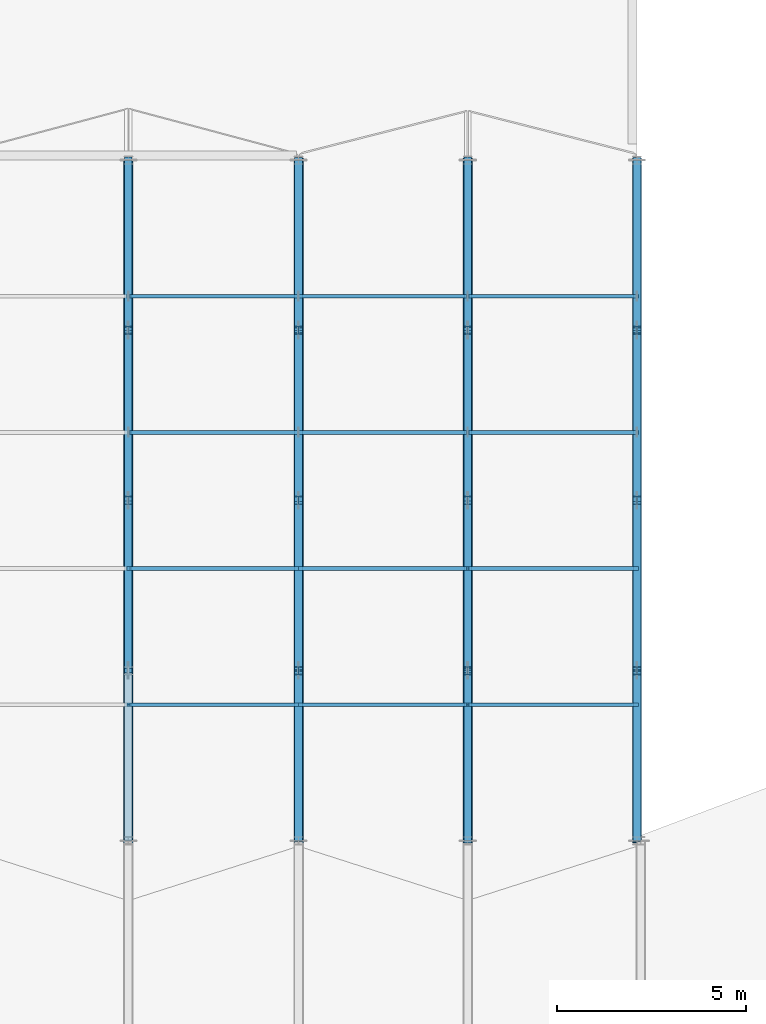
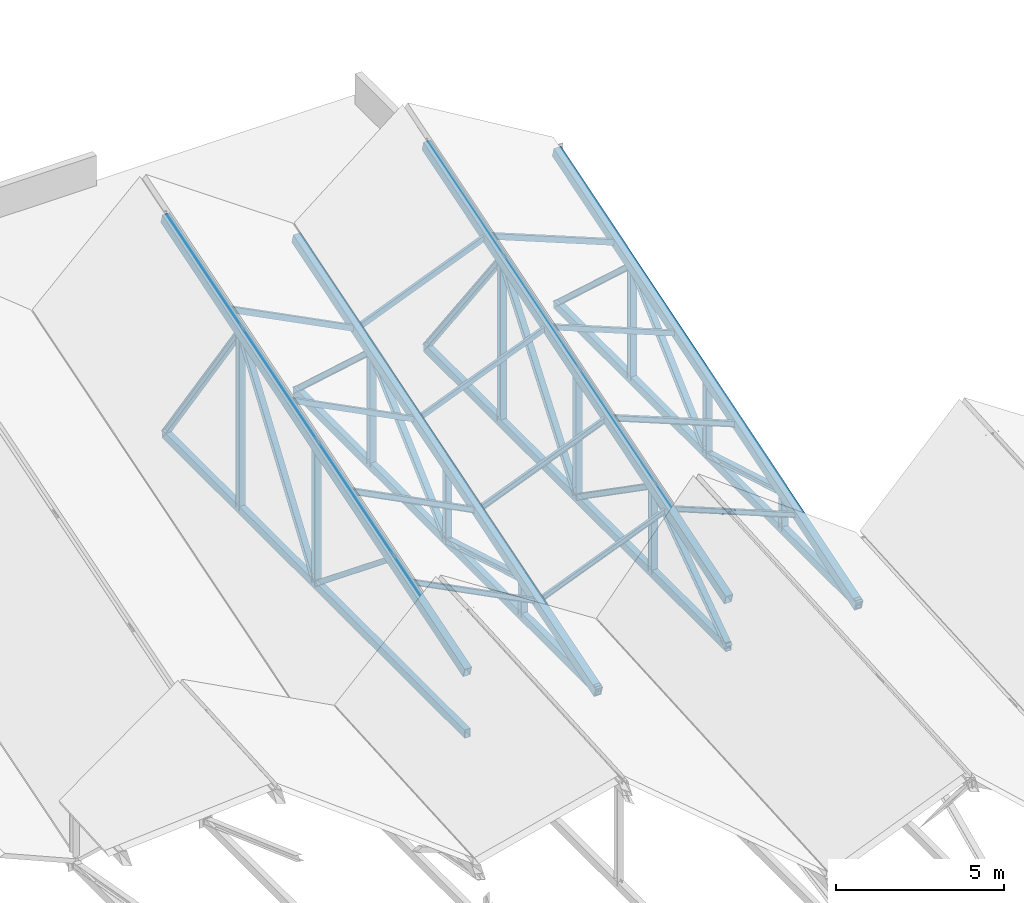
# One storey, part 67 of 142: 46 members.
"""IFC4 building model written with IfcOpenShell, lengths in metres."""

from ifc_helpers import new_model, si_unit, direction, frame, origin, origin_2d, place, context, subcontext, project, spatial, hollow_rectangle, i_section, extrude, material, material_profile, profile_set, type_object, element, save


model = new_model("IFC4")

# Units and contexts
model_context = context("Model", 3, precision=1e-05, world=origin(), true_north=direction((0.0, 1.0)))
body_context = subcontext(model_context, "Body", "Model", "MODEL_VIEW")
ifc_project = project(units=[si_unit("LENGTHUNIT", "METRE"), si_unit("AREAUNIT", "SQUARE_METRE"), si_unit("VOLUMEUNIT", "CUBIC_METRE"), si_unit("PLANEANGLEUNIT", "RADIAN"), si_unit("MASSUNIT", "GRAM", prefix="KILO")], contexts=[model_context])

# Site, building, storey
site_placement = place(None, origin())
site = spatial("IfcSite", under=ifc_project, at=site_placement, CompositionType="ELEMENT")
building_placement = place(site_placement, origin())
building = spatial("IfcBuilding", under=site, at=building_placement, Name="Montelvaro Courts of Justice", CompositionType="ELEMENT")
storey_placement = place(building_placement, frame((0.0, 0.0, 14.39990234375)))
storey = spatial("IfcBuildingStorey", under=building, at=storey_placement, Name="L03", CompositionType="ELEMENT", Elevation=14.39990234375)

# Members
ifc_material = material(Name="Steel S355", Category="steel")
ifc_material_profile_1 = material_profile(ifc_material, i_section(OverallWidth=0.199951171875, OverallDepth=0.18994140625, WebThickness=0.006591796875, FlangeThickness=0.010009765625, at=origin_2d()), Name="HEA 200")
ifc_profile_set_1 = profile_set([ifc_material_profile_1], Name="Steel S355")
member_type_1 = type_object("IfcMemberType", Name="Mem_HEA200_Brace", PredefinedType="BRACE", material=ifc_profile_set_1)
for number, where, z_axis, x_axis, name in (
    (1, (72.0, 78.0, -0.2998046875), (0.0, 0.959000997748, 0.283402692857), (-1.0, 0.0, 0.0), "Roof Truss Web MB-02 ROOF-V1-VTR07-W1"),
    (2, (72.0, 82.5, 1.030029296875), (0.0, 0.959000997748, -0.283402692857), (-1.0, 0.0, 0.0), "Roof Truss Web MB-02 ROOF-V1-VTR07-W2"),
):
    element("IfcMember", number, at=place(storey_placement, frame(where, z_axis=z_axis, x_axis=x_axis)), inside=storey, type_object=member_type_1, Name=name, PredefinedType="BRACE", context=body_context, shape_type="SweptSolid", body=[
        extrude(i_section(OverallWidth=0.199951171875, OverallDepth=0.18994140625, WebThickness=0.006591796875, FlangeThickness=0.010009765625, at=origin_2d()), origin(), (0.0, 0.0, 1.0), 4.6923828125),
    ])
for number, where, z_axis, x_axis, name in (
    (3, (72.0, 87.0, -0.2998046875), (0.0, 0.736755804956, 0.676158919089), (-1.0, 0.0, 0.0), "Roof Truss Web MB-02 ROOF-V1-VTR07-W3"),
    (4, (72.0, 91.5, 3.830078125), (0.0, 0.736755804956, -0.676158919089), (-1.0, 0.0, 0.0), "Roof Truss Web MB-02 ROOF-V1-VTR07-W4"),
):
    element("IfcMember", number, at=place(storey_placement, frame(where, z_axis=z_axis, x_axis=x_axis)), inside=storey, type_object=member_type_1, Name=name, PredefinedType="BRACE", context=body_context, shape_type="SweptSolid", body=[
        extrude(i_section(OverallWidth=0.199951171875, OverallDepth=0.18994140625, WebThickness=0.006591796875, FlangeThickness=0.010009765625, at=origin_2d()), origin(), (0.0, 0.0, 1.0), 6.10791015625),
    ])
for number, where, z_axis, x_axis, name in (
    (5, (80.949951171875, 78.0, -0.2998046875), (0.0, 0.959000997748, 0.283402692857), (-1.0, 0.0, 0.0), "Roof Truss Web MB-02 ROOF-V1-VTR08-W1"),
    (6, (80.949951171875, 82.5, 1.030029296875), (0.0, 0.959000997748, -0.283402692857), (-1.0, 0.0, 0.0), "Roof Truss Web MB-02 ROOF-V1-VTR08-W2"),
):
    element("IfcMember", number, at=place(storey_placement, frame(where, z_axis=z_axis, x_axis=x_axis)), inside=storey, type_object=member_type_1, Name=name, PredefinedType="BRACE", context=body_context, shape_type="SweptSolid", body=[
        extrude(i_section(OverallWidth=0.199951171875, OverallDepth=0.18994140625, WebThickness=0.006591796875, FlangeThickness=0.010009765625, at=origin_2d()), origin(), (0.0, 0.0, 1.0), 4.6923828125),
    ])
for number, where, z_axis, x_axis, name in (
    (7, (80.949951171875, 87.0, -0.2998046875), (0.0, 0.736755804956, 0.676158919089), (-1.0, 0.0, 0.0), "Roof Truss Web MB-02 ROOF-V1-VTR08-W3"),
    (8, (80.949951171875, 91.5, 3.830078125), (0.0, 0.736755804956, -0.676158919089), (-1.0, 0.0, 0.0), "Roof Truss Web MB-02 ROOF-V1-VTR08-W4"),
):
    element("IfcMember", number, at=place(storey_placement, frame(where, z_axis=z_axis, x_axis=x_axis)), inside=storey, type_object=member_type_1, Name=name, PredefinedType="BRACE", context=body_context, shape_type="SweptSolid", body=[
        extrude(i_section(OverallWidth=0.199951171875, OverallDepth=0.18994140625, WebThickness=0.006591796875, FlangeThickness=0.010009765625, at=origin_2d()), origin(), (0.0, 0.0, 1.0), 6.10791015625),
    ])
member_1_placement = place(storey_placement, frame((67.5, 82.5, 3.330078125), z_axis=(0.0, 0.778341146089, -0.627841588544), x_axis=(-1.0, 0.0, 0.0)))
element("IfcMember", 9, at=member_1_placement, inside=storey, type_object=member_type_1, Name="Roof Truss Web MB-02 ROOF-V1-RTR06-W2", PredefinedType="BRACE", context=body_context, shape_type="SweptSolid", body=[
    extrude(i_section(OverallWidth=0.199951171875, OverallDepth=0.18994140625, WebThickness=0.006591796875, FlangeThickness=0.010009765625, at=origin_2d()), origin(), (0.0, 0.0, 1.0), 5.781494140625),
])
for number, where, z_axis, x_axis, name in (
    (10, (67.5, 87.0, -0.2998046875), (0.0, 0.573380918154, 0.819288912837), (-1.0, 0.0, 0.0), "Roof Truss Web MB-02 ROOF-V1-RTR06-W3"),
    (11, (67.5, 91.5, 6.130126953125), (0.0, 0.573380918154, -0.819288912837), (-1.0, 0.0, 0.0), "Roof Truss Web MB-02 ROOF-V1-RTR06-W4"),
):
    element("IfcMember", number, at=place(storey_placement, frame(where, z_axis=z_axis, x_axis=x_axis)), inside=storey, type_object=member_type_1, Name=name, PredefinedType="BRACE", context=body_context, shape_type="SweptSolid", body=[
        extrude(i_section(OverallWidth=0.199951171875, OverallDepth=0.18994140625, WebThickness=0.006591796875, FlangeThickness=0.010009765625, at=origin_2d()), origin(), (0.0, 0.0, 1.0), 7.84814453125),
    ])
for number, where, z_axis, x_axis, name in (
    (12, (76.47509765625, 78.0, -0.2998046875), (0.0, 0.820952405197, 0.570996627312), (-1.0, 0.0, 0.0), "Roof Truss Web MB-02 ROOF-V1-RTR07-W1"),
    (13, (76.47509765625, 82.5, 2.830078125), (0.0, 0.820952405197, -0.570996627312), (-1.0, 0.0, 0.0), "Roof Truss Web MB-02 ROOF-V1-RTR07-W2"),
):
    element("IfcMember", number, at=place(storey_placement, frame(where, z_axis=z_axis, x_axis=x_axis)), inside=storey, type_object=member_type_1, Name=name, PredefinedType="BRACE", context=body_context, shape_type="SweptSolid", body=[
        extrude(i_section(OverallWidth=0.199951171875, OverallDepth=0.18994140625, WebThickness=0.006591796875, FlangeThickness=0.010009765625, at=origin_2d()), origin(), (0.0, 0.0, 1.0), 5.4814453125),
    ])
for number, where, z_axis, x_axis, name in (
    (14, (76.47509765625, 87.0, -0.2998046875), (0.0, 0.604508502706, 0.796598688272), (-1.0, 0.0, 0.0), "Roof Truss Web MB-02 ROOF-V1-RTR07-W3"),
    (15, (76.47509765625, 91.5, 5.630126953125), (0.0, 0.604508502706, -0.796598688272), (-1.0, 0.0, 0.0), "Roof Truss Web MB-02 ROOF-V1-RTR07-W4"),
):
    element("IfcMember", number, at=place(storey_placement, frame(where, z_axis=z_axis, x_axis=x_axis)), inside=storey, type_object=member_type_1, Name=name, PredefinedType="BRACE", context=body_context, shape_type="SweptSolid", body=[
        extrude(i_section(OverallWidth=0.199951171875, OverallDepth=0.18994140625, WebThickness=0.006591796875, FlangeThickness=0.010009765625, at=origin_2d()), origin(), (0.0, 0.0, 1.0), 7.444091796875),
    ])
ifc_material_profile_2 = material_profile(ifc_material, i_section(OverallWidth=0.219970703125, OverallDepth=0.2099609375, WebThickness=0.007080078125, FlangeThickness=0.010986328125, at=origin_2d()), Name="HEA 220")
ifc_profile_set_2 = profile_set([ifc_material_profile_2], Name="Steel S355")
member_type_2 = type_object("IfcMemberType", Name="Mem_HEA220_Post", PredefinedType="POST", material=ifc_profile_set_2)
member_2_placement = place(storey_placement, frame((72.0, 82.5, -0.2998046875), z_axis=(0.0, 0.0, 1.0), x_axis=(1.0, 0.0, 0.0)))
element("IfcMember", 16, at=member_2_placement, inside=storey, type_object=member_type_2, Name="Roof Truss Post MP-03 ROOF-V1-VTR07-V1", PredefinedType="POST", context=body_context, shape_type="SweptSolid", body=[
    extrude(i_section(OverallWidth=0.219970703125, OverallDepth=0.2099609375, WebThickness=0.007080078125, FlangeThickness=0.010986328125, at=origin_2d()), origin(), (0.0, 0.0, 1.0), 1.329833984375),
])
member_3_placement = place(storey_placement, frame((72.0, 87.0, -0.2998046875), z_axis=(0.0, 0.0, 1.0), x_axis=(1.0, 0.0, 0.0)))
element("IfcMember", 17, at=member_3_placement, inside=storey, type_object=member_type_2, Name="Roof Truss Post MP-03 ROOF-V1-VTR07-V2", PredefinedType="POST", context=body_context, shape_type="SweptSolid", body=[
    extrude(i_section(OverallWidth=0.219970703125, OverallDepth=0.2099609375, WebThickness=0.007080078125, FlangeThickness=0.010986328125, at=origin_2d()), origin(), (0.0, 0.0, 1.0), 2.72998046875),
])
member_4_placement = place(storey_placement, frame((72.0, 91.5, -0.2998046875), z_axis=(0.0, 0.0, 1.0), x_axis=(1.0, 0.0, 0.0)))
element("IfcMember", 18, at=member_4_placement, inside=storey, type_object=member_type_2, Name="Roof Truss Post MP-03 ROOF-V1-VTR07-V3", PredefinedType="POST", context=body_context, shape_type="SweptSolid", body=[
    extrude(i_section(OverallWidth=0.219970703125, OverallDepth=0.2099609375, WebThickness=0.007080078125, FlangeThickness=0.010986328125, at=origin_2d()), origin(), (0.0, 0.0, 1.0), 4.1298828125),
])
member_5_placement = place(storey_placement, frame((80.949951171875, 82.5, -0.2998046875), z_axis=(0.0, 0.0, 1.0), x_axis=(1.0, 0.0, 0.0)))
element("IfcMember", 19, at=member_5_placement, inside=storey, type_object=member_type_2, Name="Roof Truss Post MP-03 ROOF-V1-VTR08-V1", PredefinedType="POST", context=body_context, shape_type="SweptSolid", body=[
    extrude(i_section(OverallWidth=0.219970703125, OverallDepth=0.2099609375, WebThickness=0.007080078125, FlangeThickness=0.010986328125, at=origin_2d()), origin(), (0.0, 0.0, 1.0), 1.329833984375),
])
member_6_placement = place(storey_placement, frame((80.949951171875, 87.0, -0.2998046875), z_axis=(0.0, 0.0, 1.0), x_axis=(1.0, 0.0, 0.0)))
element("IfcMember", 20, at=member_6_placement, inside=storey, type_object=member_type_2, Name="Roof Truss Post MP-03 ROOF-V1-VTR08-V2", PredefinedType="POST", context=body_context, shape_type="SweptSolid", body=[
    extrude(i_section(OverallWidth=0.219970703125, OverallDepth=0.2099609375, WebThickness=0.007080078125, FlangeThickness=0.010986328125, at=origin_2d()), origin(), (0.0, 0.0, 1.0), 2.72998046875),
])
member_7_placement = place(storey_placement, frame((80.949951171875, 91.5, -0.2998046875), z_axis=(0.0, 0.0, 1.0), x_axis=(1.0, 0.0, 0.0)))
element("IfcMember", 21, at=member_7_placement, inside=storey, type_object=member_type_2, Name="Roof Truss Post MP-03 ROOF-V1-VTR08-V3", PredefinedType="POST", context=body_context, shape_type="SweptSolid", body=[
    extrude(i_section(OverallWidth=0.219970703125, OverallDepth=0.2099609375, WebThickness=0.007080078125, FlangeThickness=0.010986328125, at=origin_2d()), origin(), (0.0, 0.0, 1.0), 4.1298828125),
])
member_8_placement = place(storey_placement, frame((67.5, 87.0, -0.2998046875), z_axis=(0.0, 0.0, 1.0), x_axis=(1.0, 0.0, 0.0)))
element("IfcMember", 22, at=member_8_placement, inside=storey, type_object=member_type_2, Name="Roof Truss Post MP-03 ROOF-V1-RTR06-V2", PredefinedType="POST", context=body_context, shape_type="SweptSolid", body=[
    extrude(i_section(OverallWidth=0.219970703125, OverallDepth=0.2099609375, WebThickness=0.007080078125, FlangeThickness=0.010986328125, at=origin_2d()), origin(), (0.0, 0.0, 1.0), 5.02978515625),
])
member_9_placement = place(storey_placement, frame((67.5, 91.5, -0.2998046875), z_axis=(0.0, 0.0, 1.0), x_axis=(1.0, 0.0, 0.0)))
element("IfcMember", 23, at=member_9_placement, inside=storey, type_object=member_type_2, Name="Roof Truss Post MP-03 ROOF-V1-RTR06-V3", PredefinedType="POST", context=body_context, shape_type="SweptSolid", body=[
    extrude(i_section(OverallWidth=0.219970703125, OverallDepth=0.2099609375, WebThickness=0.007080078125, FlangeThickness=0.010986328125, at=origin_2d()), origin(), (0.0, 0.0, 1.0), 6.429931640625),
])
member_10_placement = place(storey_placement, frame((76.47509765625, 82.5, -0.2998046875), z_axis=(0.0, 0.0, 1.0), x_axis=(1.0, 0.0, 0.0)))
element("IfcMember", 24, at=member_10_placement, inside=storey, type_object=member_type_2, Name="Roof Truss Post MP-03 ROOF-V1-RTR07-V1", PredefinedType="POST", context=body_context, shape_type="SweptSolid", body=[
    extrude(i_section(OverallWidth=0.219970703125, OverallDepth=0.2099609375, WebThickness=0.007080078125, FlangeThickness=0.010986328125, at=origin_2d()), origin(), (0.0, 0.0, 1.0), 3.1298828125),
])
member_11_placement = place(storey_placement, frame((76.47509765625, 87.0, -0.2998046875), z_axis=(0.0, 0.0, 1.0), x_axis=(1.0, 0.0, 0.0)))
element("IfcMember", 25, at=member_11_placement, inside=storey, type_object=member_type_2, Name="Roof Truss Post MP-03 ROOF-V1-RTR07-V2", PredefinedType="POST", context=body_context, shape_type="SweptSolid", body=[
    extrude(i_section(OverallWidth=0.219970703125, OverallDepth=0.2099609375, WebThickness=0.007080078125, FlangeThickness=0.010986328125, at=origin_2d()), origin(), (0.0, 0.0, 1.0), 4.52978515625),
])
member_12_placement = place(storey_placement, frame((76.47509765625, 91.5, -0.2998046875), z_axis=(0.0, 0.0, 1.0), x_axis=(1.0, 0.0, 0.0)))
element("IfcMember", 26, at=member_12_placement, inside=storey, type_object=member_type_2, Name="Roof Truss Post MP-03 ROOF-V1-RTR07-V3", PredefinedType="POST", context=body_context, shape_type="SweptSolid", body=[
    extrude(i_section(OverallWidth=0.219970703125, OverallDepth=0.2099609375, WebThickness=0.007080078125, FlangeThickness=0.010986328125, at=origin_2d()), origin(), (0.0, 0.0, 1.0), 5.929931640625),
])
ifc_material_profile_3 = material_profile(ifc_material, i_section(OverallWidth=0.091064453125, OverallDepth=0.179931640625, WebThickness=0.00537109375, FlangeThickness=0.008056640625, at=origin_2d()), Name="IPE 180")
ifc_profile_set_3 = profile_set([ifc_material_profile_3], Name="Steel S355")
member_type_3 = type_object("IfcMemberType", Name="Mem_IPE180_Purlin", PredefinedType="PURLIN", material=ifc_profile_set_3)
member_13_placement = place(storey_placement, frame((67.5, 81.60009765625, 3.050048828125), z_axis=(0.890430766754, 0.0, -0.455118720355), x_axis=(0.0, 1.0, 0.0)))
element("IfcMember", 27, at=member_13_placement, inside=storey, type_object=member_type_3, Name="Roof Purlin MR-01 ROOF-V1-PRL-06-1R", PredefinedType="PURLIN", context=body_context, shape_type="SweptSolid", body=[
    extrude(i_section(OverallWidth=0.091064453125, OverallDepth=0.179931640625, WebThickness=0.00537109375, FlangeThickness=0.008056640625, at=origin_2d()), origin(), (0.0, 0.0, 1.0), 5.0537109375),
])
member_14_placement = place(storey_placement, frame((72.0, 81.60009765625, 0.75), z_axis=(0.927759386524, 0.0, 0.373178939271), x_axis=(0.0, 1.0, 0.0)))
element("IfcMember", 28, at=member_14_placement, inside=storey, type_object=member_type_3, Name="Roof Purlin MR-01 ROOF-V1-PRL-07-1L", PredefinedType="PURLIN", context=body_context, shape_type="SweptSolid", body=[
    extrude(i_section(OverallWidth=0.091064453125, OverallDepth=0.179931640625, WebThickness=0.00537109375, FlangeThickness=0.008056640625, at=origin_2d()), origin(), (0.0, 0.0, 1.0), 4.823486328125),
])
member_15_placement = place(storey_placement, frame((76.47509765625, 81.60009765625, 2.550048828125), z_axis=(0.927752337359, 0.0, -0.37319646371), x_axis=(0.0, 1.0, 0.0)))
element("IfcMember", 29, at=member_15_placement, inside=storey, type_object=member_type_3, Name="Roof Purlin MR-01 ROOF-V1-PRL-07-1R", PredefinedType="PURLIN", context=body_context, shape_type="SweptSolid", body=[
    extrude(i_section(OverallWidth=0.091064453125, OverallDepth=0.179931640625, WebThickness=0.00537109375, FlangeThickness=0.008056640625, at=origin_2d()), origin(), (0.0, 0.0, 1.0), 4.8232421875),
])
ifc_material_profile_4 = material_profile(ifc_material, i_section(OverallWidth=0.10009765625, OverallDepth=0.199951171875, WebThickness=0.005615234375, FlangeThickness=0.008544921875, at=origin_2d()), Name="IPE 200")
ifc_profile_set_4 = profile_set([ifc_material_profile_4], Name="Steel S355")
member_type_4 = type_object("IfcMemberType", Name="Mem_IPE200_Purlin", PredefinedType="PURLIN", material=ifc_profile_set_4)
member_16_placement = place(storey_placement, frame((67.5, 85.199951171875, 4.170166015625), z_axis=(0.890430766754, 0.0, -0.455118720355), x_axis=(0.0, 1.0, 0.0)))
element("IfcMember", 30, at=member_16_placement, inside=storey, type_object=member_type_4, Name="Roof Purlin MR-02 ROOF-V1-PRL-06-2R", PredefinedType="PURLIN", context=body_context, shape_type="SweptSolid", body=[
    extrude(i_section(OverallWidth=0.10009765625, OverallDepth=0.199951171875, WebThickness=0.005615234375, FlangeThickness=0.008544921875, at=origin_2d()), origin(), (0.0, 0.0, 1.0), 5.0537109375),
])
member_17_placement = place(storey_placement, frame((72.0, 85.199951171875, 1.8701171875), z_axis=(0.927759386524, 0.0, 0.373178939271), x_axis=(0.0, 1.0, 0.0)))
element("IfcMember", 31, at=member_17_placement, inside=storey, type_object=member_type_4, Name="Roof Purlin MR-02 ROOF-V1-PRL-07-2L", PredefinedType="PURLIN", context=body_context, shape_type="SweptSolid", body=[
    extrude(i_section(OverallWidth=0.10009765625, OverallDepth=0.199951171875, WebThickness=0.005615234375, FlangeThickness=0.008544921875, at=origin_2d()), origin(), (0.0, 0.0, 1.0), 4.823486328125),
])
member_18_placement = place(storey_placement, frame((76.47509765625, 85.199951171875, 3.670166015625), z_axis=(0.927752337359, 0.0, -0.37319646371), x_axis=(0.0, 1.0, 0.0)))
element("IfcMember", 32, at=member_18_placement, inside=storey, type_object=member_type_4, Name="Roof Purlin MR-02 ROOF-V1-PRL-07-2R", PredefinedType="PURLIN", context=body_context, shape_type="SweptSolid", body=[
    extrude(i_section(OverallWidth=0.10009765625, OverallDepth=0.199951171875, WebThickness=0.005615234375, FlangeThickness=0.008544921875, at=origin_2d()), origin(), (0.0, 0.0, 1.0), 4.8232421875),
])
ifc_material_profile_5 = material_profile(ifc_material, hollow_rectangle(XDim=0.10009765625, YDim=0.179931640625, WallThickness=0.008056640625, at=origin_2d()), Name="RHS 180x100x8")
ifc_profile_set_5 = profile_set([ifc_material_profile_5], Name="Steel S355")
member_type_5 = type_object("IfcMemberType", Name="Mem_RHS180_Purlin", PredefinedType="PURLIN", material=ifc_profile_set_5)
member_19_placement = place(storey_placement, frame((67.5, 88.800048828125, 5.2900390625), z_axis=(0.890430766754, 0.0, -0.455118720355), x_axis=(0.0, 1.0, 0.0)))
element("IfcMember", 33, at=member_19_placement, inside=storey, type_object=member_type_5, Name="Roof Purlin MR-03 ROOF-V1-PRL-06-3R", PredefinedType="PURLIN", context=body_context, shape_type="SweptSolid", body=[
    extrude(hollow_rectangle(XDim=0.10009765625, YDim=0.179931640625, WallThickness=0.008056640625, at=origin_2d()), origin(), (0.0, 0.0, 1.0), 5.0537109375),
])
member_20_placement = place(storey_placement, frame((72.0, 88.800048828125, 2.989990234375), z_axis=(0.927759386524, 0.0, 0.373178939271), x_axis=(0.0, 1.0, 0.0)))
element("IfcMember", 34, at=member_20_placement, inside=storey, type_object=member_type_5, Name="Roof Purlin MR-03 ROOF-V1-PRL-07-3L", PredefinedType="PURLIN", context=body_context, shape_type="SweptSolid", body=[
    extrude(hollow_rectangle(XDim=0.10009765625, YDim=0.179931640625, WallThickness=0.008056640625, at=origin_2d()), origin(), (0.0, 0.0, 1.0), 4.823486328125),
])
member_21_placement = place(storey_placement, frame((76.47509765625, 88.800048828125, 4.7900390625), z_axis=(0.927752337359, 0.0, -0.37319646371), x_axis=(0.0, 1.0, 0.0)))
element("IfcMember", 35, at=member_21_placement, inside=storey, type_object=member_type_5, Name="Roof Purlin MR-03 ROOF-V1-PRL-07-3R", PredefinedType="PURLIN", context=body_context, shape_type="SweptSolid", body=[
    extrude(hollow_rectangle(XDim=0.10009765625, YDim=0.179931640625, WallThickness=0.008056640625, at=origin_2d()), origin(), (0.0, 0.0, 1.0), 4.8232421875),
])
ifc_material_profile_6 = material_profile(ifc_material, hollow_rectangle(XDim=0.10009765625, YDim=0.199951171875, WallThickness=0.008056640625, at=origin_2d()), Name="RHS 200x100x8")
ifc_profile_set_6 = profile_set([ifc_material_profile_6], Name="Steel S355")
member_type_6 = type_object("IfcMemberType", Name="Mem_RHS200_Purlin", PredefinedType="PURLIN", material=ifc_profile_set_6)
member_22_placement = place(storey_placement, frame((67.5, 92.39990234375, 6.41015625), z_axis=(0.890430766754, 0.0, -0.455118720355), x_axis=(0.0, 1.0, 0.0)))
element("IfcMember", 36, at=member_22_placement, inside=storey, type_object=member_type_6, Name="Roof Purlin MR-04 ROOF-V1-PRL-06-4R", PredefinedType="PURLIN", context=body_context, shape_type="SweptSolid", body=[
    extrude(hollow_rectangle(XDim=0.10009765625, YDim=0.199951171875, WallThickness=0.008056640625, at=origin_2d()), origin(), (0.0, 0.0, 1.0), 5.0537109375),
])
member_23_placement = place(storey_placement, frame((72.0, 92.39990234375, 4.110107421875), z_axis=(0.927759386524, 0.0, 0.373178939271), x_axis=(0.0, 1.0, 0.0)))
element("IfcMember", 37, at=member_23_placement, inside=storey, type_object=member_type_6, Name="Roof Purlin MR-04 ROOF-V1-PRL-07-4L", PredefinedType="PURLIN", context=body_context, shape_type="SweptSolid", body=[
    extrude(hollow_rectangle(XDim=0.10009765625, YDim=0.199951171875, WallThickness=0.008056640625, at=origin_2d()), origin(), (0.0, 0.0, 1.0), 4.823486328125),
])
member_24_placement = place(storey_placement, frame((76.47509765625, 92.39990234375, 5.91015625), z_axis=(0.927752337359, 0.0, -0.37319646371), x_axis=(0.0, 1.0, 0.0)))
element("IfcMember", 38, at=member_24_placement, inside=storey, type_object=member_type_6, Name="Roof Purlin MR-04 ROOF-V1-PRL-07-4R", PredefinedType="PURLIN", context=body_context, shape_type="SweptSolid", body=[
    extrude(hollow_rectangle(XDim=0.10009765625, YDim=0.199951171875, WallThickness=0.008056640625, at=origin_2d()), origin(), (0.0, 0.0, 1.0), 4.8232421875),
])
ifc_material_profile_7 = material_profile(ifc_material, hollow_rectangle(XDim=0.199951171875, YDim=0.300048828125, WallThickness=0.012451171875, at=origin_2d()), Name="RHS 300x200x12.5")
ifc_profile_set_7 = profile_set([ifc_material_profile_7], Name="Steel S355")
member_type_7 = type_object("IfcMemberType", Name="Mem_RHS300_Chord", PredefinedType="CHORD", material=ifc_profile_set_7)
for number, where, z_axis, x_axis, name in (
    (39, (72.0, 78.0, -0.2998046875), (0.0, 1.0, 0.0), (-1.0, 0.0, 0.0), "Roof Truss ROOF-V1-VTR07 Bottom Chord"),
    (40, (80.949951171875, 78.0, -0.2998046875), (0.0, 1.0, 0.0), (-1.0, 0.0, 0.0), "Roof Truss ROOF-V1-VTR08 Bottom Chord"),
    (41, (67.5, 78.0, -0.2998046875), (0.0, 1.0, 0.0), (-1.0, 0.0, 0.0), "Roof Truss ROOF-V1-RTR06 Bottom Chord"),
    (42, (76.47509765625, 78.0, -0.2998046875), (0.0, 1.0, 0.0), (-1.0, 0.0, 0.0), "Roof Truss ROOF-V1-RTR07 Bottom Chord"),
):
    element("IfcMember", number, at=place(storey_placement, frame(where, z_axis=z_axis, x_axis=x_axis)), inside=storey, type_object=member_type_7, Name=name, PredefinedType="CHORD", context=body_context, shape_type="SweptSolid", body=[
        extrude(hollow_rectangle(XDim=0.199951171875, YDim=0.300048828125, WallThickness=0.012451171875, at=origin_2d()), origin(), (0.0, 0.0, 1.0), 18.0),
    ])
ifc_material_profile_8 = material_profile(ifc_material, hollow_rectangle(XDim=0.25, YDim=0.35009765625, WallThickness=0.012451171875, at=origin_2d()), Name="RHS 350x250x12.5")
ifc_profile_set_8 = profile_set([ifc_material_profile_8], Name="Steel S355")
member_type_8 = type_object("IfcMemberType", Name="Mem_RHS350_Chord", PredefinedType="CHORD", material=ifc_profile_set_8)
for number, where, z_axis, x_axis, name in (
    (43, (72.0, 78.0, -0.369873046875), (0.0, 0.9548589805, 0.297059467715), (-1.0, 0.0, 0.0), "Roof Truss ROOF-V1-VTR07 Top Chord"),
    (44, (80.949951171875, 78.0, -0.369873046875), (0.0, 0.9548589805, 0.297059467715), (-1.0, 0.0, 0.0), "Roof Truss ROOF-V1-VTR08 Top Chord"),
    (45, (67.5, 78.0, 1.93017578125), (0.0, 0.9548589805, 0.297059467715), (-1.0, 0.0, 0.0), "Roof Truss ROOF-V1-RTR06 Top Chord"),
    (46, (76.47509765625, 78.0, 1.43017578125), (0.0, 0.9548589805, 0.297059467715), (-1.0, 0.0, 0.0), "Roof Truss ROOF-V1-RTR07 Top Chord"),
):
    element("IfcMember", number, at=place(storey_placement, frame(where, z_axis=z_axis, x_axis=x_axis)), inside=storey, type_object=member_type_8, Name=name, PredefinedType="CHORD", context=body_context, shape_type="SweptSolid", body=[
        extrude(hollow_rectangle(XDim=0.25, YDim=0.35009765625, WallThickness=0.012451171875, at=origin_2d()), origin(), (0.0, 0.0, 1.0), 18.850830078125),
    ])

save(model, "model.ifc")
